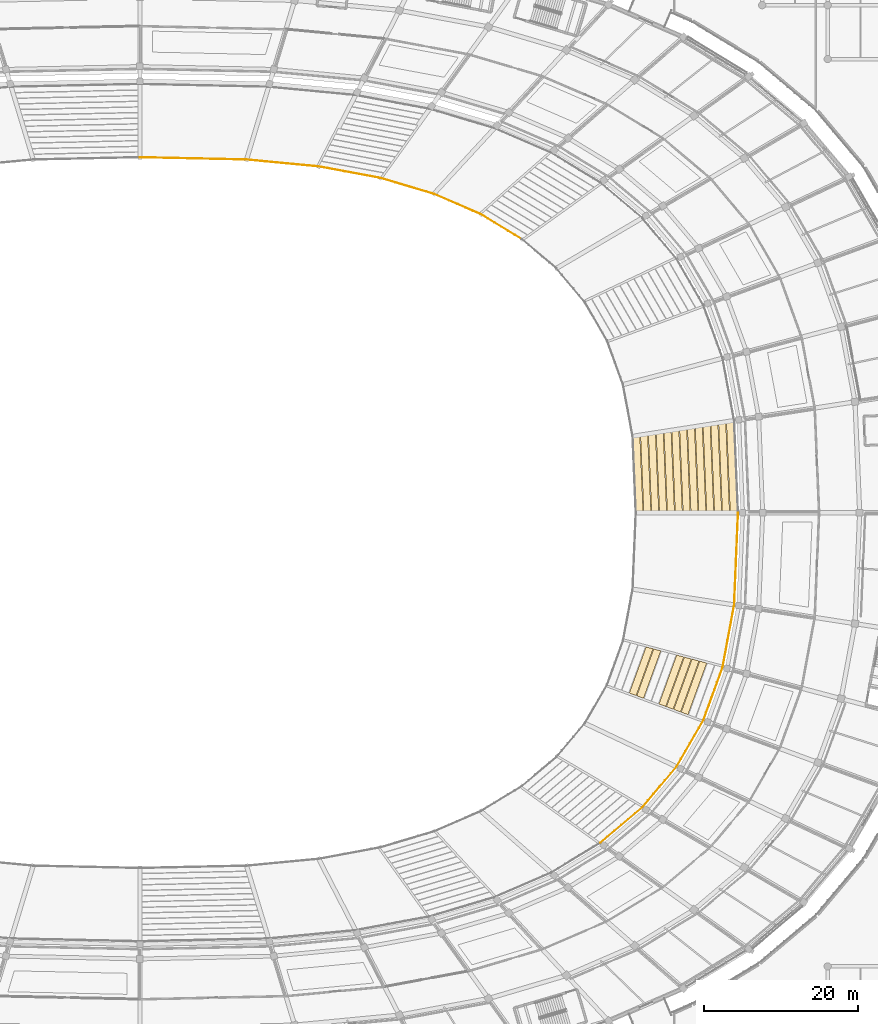
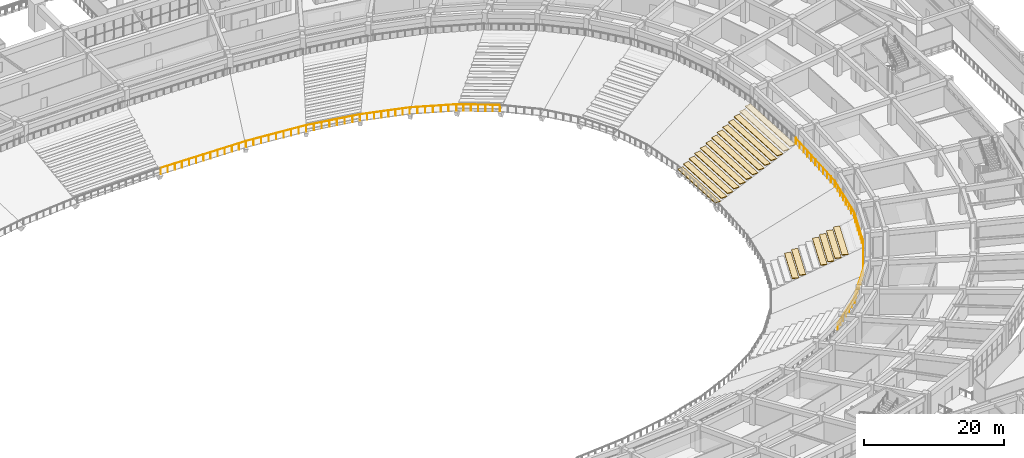
# One storey, part 137 of 152: 19 coverings, 2 railings.
"""IFC4 building model written with IfcOpenShell, lengths in metres."""

from ifc_helpers import new_model, si_unit, direction, frame, origin, origin_2d, place, context, subcontext, project, spatial, polyline, circle, outline, extrude, material, layer, layer_set, type_object, element, save


model = new_model("IFC4")

# Units and contexts
model_context = context("Model", 3, precision=1e-05, world=origin(), true_north=direction((0.0, 1.0)))
body_context = subcontext(model_context, "Body", "Model", "MODEL_VIEW")
ifc_project = project(units=[si_unit("LENGTHUNIT", "METRE"), si_unit("AREAUNIT", "SQUARE_METRE"), si_unit("VOLUMEUNIT", "CUBIC_METRE"), si_unit("PLANEANGLEUNIT", "RADIAN"), si_unit("MASSUNIT", "GRAM", prefix="KILO")], contexts=[model_context])

# Site, building, storey
site_placement = place(None, origin())
site = spatial("IfcSite", under=ifc_project, at=site_placement, CompositionType="ELEMENT")
building_placement = place(site_placement, origin())
building = spatial("IfcBuilding", under=site, at=building_placement, Name="Mphavela Belvedere Stadium", CompositionType="ELEMENT")
storey_placement = place(building_placement, frame((0.0, 0.0, 5.39990234375)))
storey = spatial("IfcBuildingStorey", under=building, at=storey_placement, Name="L01", CompositionType="ELEMENT", Elevation=5.39990234375)

# Coverings
ifc_material_1 = material(Name="Precast seating row terrazzo finish", Category="concrete")
ifc_layer = layer(ifc_material_1, 0.1201171875)
ifc_layer_set = layer_set([ifc_layer], Name="Precast seating row terrazzo finish")
covering_type = type_object("IfcCoveringType", Name="COV-SEAT-ROW-L", PredefinedType="FLOORING", material=ifc_layer_set)
covering_1_placement = place(storey_placement, frame((0.0, 0.0, -3.75830078125)))
element("IfcCovering", 1, at=covering_1_placement, inside=storey, type_object=covering_type, Name="Lower stand seating row bench B01-R01", PredefinedType="FLOORING", context=body_context, shape_type="SweptSolid", body=[
    extrude(outline(polyline([(179.5048828125, 87.0), (179.088134765625, 96.9404296875), (180.0224609375, 97.08544921875), (180.445556640625, 87.0), (179.5048828125, 87.0)])), origin(), (0.0, 0.0, 1.0), 0.119873046875),
])
covering_2_placement = place(storey_placement, frame((0.0, 0.0, -3.296875)))
element("IfcCovering", 2, at=covering_2_placement, inside=storey, type_object=covering_type, Name="Lower stand seating row bench B01-R02", PredefinedType="FLOORING", context=body_context, shape_type="SweptSolid", body=[
    extrude(outline(polyline([(180.527099609375, 87.0), (180.103759765625, 97.097900390625), (181.0380859375, 97.242919921875), (181.4677734375, 87.0), (180.527099609375, 87.0)])), origin(), (0.0, 0.0, 1.0), 0.1201171875),
])
covering_3_placement = place(storey_placement, frame((0.0, 0.0, -2.835205078125)))
element("IfcCovering", 3, at=covering_3_placement, inside=storey, type_object=covering_type, Name="Lower stand seating row bench B01-R03", PredefinedType="FLOORING", context=body_context, shape_type="SweptSolid", body=[
    extrude(outline(polyline([(181.549560546875, 87.0), (181.119384765625, 97.255615234375), (182.0537109375, 97.400390625), (182.489990234375, 87.0), (181.549560546875, 87.0)])), origin(), (0.0, 0.0, 1.0), 0.119873046875),
])
covering_4_placement = place(storey_placement, frame((0.0, 0.0, -2.373779296875)))
element("IfcCovering", 4, at=covering_4_placement, inside=storey, type_object=covering_type, Name="Lower stand seating row bench B01-R04", PredefinedType="FLOORING", context=body_context, shape_type="SweptSolid", body=[
    extrude(outline(polyline([(182.57177734375, 87.0), (182.135009765625, 97.4130859375), (183.0693359375, 97.55810546875), (183.51220703125, 87.0), (182.57177734375, 87.0)])), origin(), (0.0, 0.0, 1.0), 0.1201171875),
])
covering_5_placement = place(storey_placement, frame((0.0, 0.0, -1.912109375)))
element("IfcCovering", 5, at=covering_5_placement, inside=storey, type_object=covering_type, Name="Lower stand seating row bench B01-R05", PredefinedType="FLOORING", context=body_context, shape_type="SweptSolid", body=[
    extrude(outline(polyline([(183.593994140625, 87.0), (183.150634765625, 97.570556640625), (184.0849609375, 97.715576171875), (184.534423828125, 87.0), (183.593994140625, 87.0)])), origin(), (0.0, 0.0, 1.0), 0.119873046875),
])
covering_6_placement = place(storey_placement, frame((0.0, 0.0, -1.45068359375)))
element("IfcCovering", 6, at=covering_6_placement, inside=storey, type_object=covering_type, Name="Lower stand seating row bench B01-R06", PredefinedType="FLOORING", context=body_context, shape_type="SweptSolid", body=[
    extrude(outline(polyline([(184.6162109375, 87.0), (184.166259765625, 97.728271484375), (185.1005859375, 97.873046875), (185.556640625, 87.0), (184.6162109375, 87.0)])), origin(), (0.0, 0.0, 1.0), 0.119873046875),
])
covering_7_placement = place(storey_placement, frame((0.0, 0.0, -0.989013671875)))
element("IfcCovering", 7, at=covering_7_placement, inside=storey, type_object=covering_type, Name="Lower stand seating row bench B01-R07", PredefinedType="FLOORING", context=body_context, shape_type="SweptSolid", body=[
    extrude(outline(polyline([(185.638427734375, 87.0), (185.181884765625, 97.8857421875), (186.1162109375, 98.030517578125), (186.578857421875, 87.0), (185.638427734375, 87.0)])), origin(), (0.0, 0.0, 1.0), 0.119873046875),
])
covering_8_placement = place(storey_placement, frame((0.0, 0.0, -0.527587890625)))
element("IfcCovering", 8, at=covering_8_placement, inside=storey, type_object=covering_type, Name="Lower stand seating row bench B01-R08", PredefinedType="FLOORING", context=body_context, shape_type="SweptSolid", body=[
    extrude(outline(polyline([(186.66064453125, 87.0), (186.197509765625, 98.043212890625), (187.1318359375, 98.18798828125), (187.60107421875, 87.0), (186.66064453125, 87.0)])), origin(), (0.0, 0.0, 1.0), 0.119873046875),
])
covering_9_placement = place(storey_placement, frame((0.0, 0.0, -0.066162109375)))
element("IfcCovering", 9, at=covering_9_placement, inside=storey, type_object=covering_type, Name="Lower stand seating row bench B01-R09", PredefinedType="FLOORING", context=body_context, shape_type="SweptSolid", body=[
    extrude(outline(polyline([(187.682861328125, 87.0), (187.213134765625, 98.20068359375), (188.1474609375, 98.345703125), (188.623291015625, 87.0), (187.682861328125, 87.0)])), origin(), (0.0, 0.0, 1.0), 0.1201171875),
])
covering_10_placement = place(storey_placement, frame((0.0, 0.0, 0.3955078125)))
element("IfcCovering", 10, at=covering_10_placement, inside=storey, type_object=covering_type, Name="Lower stand seating row bench B01-R10", PredefinedType="FLOORING", context=body_context, shape_type="SweptSolid", body=[
    extrude(outline(polyline([(188.705078125, 87.0), (188.228759765625, 98.3583984375), (189.1630859375, 98.503173828125), (189.6455078125, 87.0), (188.705078125, 87.0)])), origin(), (0.0, 0.0, 1.0), 0.119873046875),
])
covering_11_placement = place(storey_placement, frame((0.0, 0.0, 0.85693359375)))
element("IfcCovering", 11, at=covering_11_placement, inside=storey, type_object=covering_type, Name="Lower stand seating row bench B01-R11", PredefinedType="FLOORING", context=body_context, shape_type="SweptSolid", body=[
    extrude(outline(polyline([(189.727294921875, 87.0), (189.244384765625, 98.515869140625), (190.1787109375, 98.66064453125), (190.667724609375, 87.0), (189.727294921875, 87.0)])), origin(), (0.0, 0.0, 1.0), 0.1201171875),
])
covering_12_placement = place(storey_placement, frame((0.0, 0.0, 1.318603515625)))
element("IfcCovering", 12, at=covering_12_placement, inside=storey, type_object=covering_type, Name="Lower stand seating row bench B01-R12", PredefinedType="FLOORING", context=body_context, shape_type="SweptSolid", body=[
    extrude(outline(polyline([(190.74951171875, 87.0), (190.260009765625, 98.67333984375), (191.1943359375, 98.818359375), (191.68994140625, 87.0), (190.74951171875, 87.0)])), origin(), (0.0, 0.0, 1.0), 0.119873046875),
])
covering_13_placement = place(storey_placement, frame((0.0, 0.0, 1.780029296875)))
element("IfcCovering", 13, at=covering_13_placement, inside=storey, type_object=covering_type, Name="Lower stand seating row bench B01-R13", PredefinedType="FLOORING", context=body_context, shape_type="SweptSolid", body=[
    extrude(outline(polyline([(191.771728515625, 87.0), (191.275634765625, 98.830810546875), (192.2099609375, 98.975830078125), (192.712158203125, 87.0), (191.771728515625, 87.0)])), origin(), (0.0, 0.0, 1.0), 0.1201171875),
])
covering_14_placement = place(storey_placement, frame((0.0, 0.0, -2.373779296875)))
element("IfcCovering", 14, at=covering_14_placement, inside=storey, type_object=covering_type, Name="Lower stand seating row bench B46-R04", PredefinedType="FLOORING", context=body_context, shape_type="SweptSolid", body=[
    extrude(outline(polyline([(178.65234375, 63.55029296875), (180.82666015625, 69.54345703125), (181.742919921875, 69.300537109375), (179.5380859375, 63.223876953125), (178.65234375, 63.55029296875)])), origin(), (0.0, 0.0, 1.0), 0.1201171875),
])
covering_15_placement = place(storey_placement, frame((0.0, 0.0, -1.912109375)))
element("IfcCovering", 15, at=covering_15_placement, inside=storey, type_object=covering_type, Name="Lower stand seating row bench B46-R05", PredefinedType="FLOORING", context=body_context, shape_type="SweptSolid", body=[
    extrude(outline(polyline([(179.615234375, 63.1953125), (181.822509765625, 69.279541015625), (182.738525390625, 69.03662109375), (180.501220703125, 62.868896484375), (179.615234375, 63.1953125)])), origin(), (0.0, 0.0, 1.0), 0.119873046875),
])
covering_16_placement = place(storey_placement, frame((0.0, 0.0, -0.527587890625)))
element("IfcCovering", 16, at=covering_16_placement, inside=storey, type_object=covering_type, Name="Lower stand seating row bench B46-R08", PredefinedType="FLOORING", context=body_context, shape_type="SweptSolid", body=[
    extrude(outline(polyline([(182.504150390625, 62.131103515625), (184.81005859375, 68.4873046875), (185.72607421875, 68.244384765625), (183.389892578125, 61.8046875), (182.504150390625, 62.131103515625)])), origin(), (0.0, 0.0, 1.0), 0.119873046875),
])
covering_17_placement = place(storey_placement, frame((0.0, 0.0, -0.066162109375)))
element("IfcCovering", 17, at=covering_17_placement, inside=storey, type_object=covering_type, Name="Lower stand seating row bench B46-R09", PredefinedType="FLOORING", context=body_context, shape_type="SweptSolid", body=[
    extrude(outline(polyline([(183.467041015625, 61.7763671875), (185.805908203125, 68.22314453125), (186.721923828125, 67.980224609375), (184.352783203125, 61.449951171875), (183.467041015625, 61.7763671875)])), origin(), (0.0, 0.0, 1.0), 0.1201171875),
])
covering_18_placement = place(storey_placement, frame((0.0, 0.0, 0.3955078125)))
element("IfcCovering", 18, at=covering_18_placement, inside=storey, type_object=covering_type, Name="Lower stand seating row bench B46-R10", PredefinedType="FLOORING", context=body_context, shape_type="SweptSolid", body=[
    extrude(outline(polyline([(184.429931640625, 61.421630859375), (186.801513671875, 67.958984375), (187.7177734375, 67.716064453125), (185.31591796875, 61.09521484375), (184.429931640625, 61.421630859375)])), origin(), (0.0, 0.0, 1.0), 0.119873046875),
])
covering_19_placement = place(storey_placement, frame((0.0, 0.0, 0.85693359375)))
element("IfcCovering", 19, at=covering_19_placement, inside=storey, type_object=covering_type, Name="Lower stand seating row bench B46-R11", PredefinedType="FLOORING", context=body_context, shape_type="SweptSolid", body=[
    extrude(outline(polyline([(185.392822265625, 61.06689453125), (187.79736328125, 67.695068359375), (188.713623046875, 67.451904296875), (186.27880859375, 60.740478515625), (185.392822265625, 61.06689453125)])), origin(), (0.0, 0.0, 1.0), 0.1201171875),
])

# Railings
ifc_material_2 = material(Name="Bronze and laminated glass stadium balustrade", Category="glass")
railing_type = type_object("IfcRailingType", Name="RAL-BALUSTRADE-1120", PredefinedType="BALUSTRADE", material=ifc_material_2)
railing_1_placement = place(storey_placement, frame((164.658935546875, 122.580322265625, -4.099853515625)))
element("IfcRailing", 20, at=railing_1_placement, inside=storey, type_object=railing_type, Name="Bowl safety balustrade t1_front S2", PredefinedType="BALUSTRADE", context=body_context, shape_type="SweptSolid", body=[
    extrude(circle(Radius=0.02392578125, at=origin_2d()), frame((0.0, 0.0, 1.09619140625), z_axis=(-0.854317681937, 0.519751188868, 0.0), x_axis=(-0.519751188868, -0.854317681937, 0.0)), (0.0, 0.0, 1.0), 6.212158203125),
    extrude(circle(Radius=0.02392578125, at=origin_2d()), frame((-5.30712890625, 3.228759765625, 1.09619140625), z_axis=(-0.917505783131, 0.397722438293, 0.0), x_axis=(-0.397722438293, -0.917505783131, 0.0)), (0.0, 0.0, 1.0), 6.672607421875),
    extrude(circle(Radius=0.02392578125, at=origin_2d()), frame((-11.42919921875, 5.882568359375, 1.09619140625), z_axis=(-0.958662145349, 0.284546817018, 0.0), x_axis=(-0.284546817018, -0.958662145349, 0.0)), (0.0, 0.0, 1.0), 7.287841796875),
    extrude(circle(Radius=0.02392578125, at=origin_2d()), frame((-18.415771484375, 7.956298828125, 1.09619140625), z_axis=(-0.983092319169, 0.183110600433, 0.0), x_axis=(-0.183110600433, -0.983092319169, 0.0)), (0.0, 0.0, 1.0), 8.12255859375),
    extrude(circle(Radius=0.02392578125, at=origin_2d()), frame((-26.40087890625, 9.443603515625, 1.09619140625), z_axis=(-0.995485107266, 0.094917865605, 0.0), x_axis=(-0.094917865605, -0.995485107266, 0.0)), (0.0, 0.0, 1.0), 9.4267578125),
    extrude(circle(Radius=0.02392578125, at=origin_2d()), frame((-35.78515625, 10.33837890625, 1.09619140625), z_axis=(-0.99976811519, 0.021534062558, 0.0), x_axis=(-0.021534062558, -0.99976811519, 0.0)), (0.0, 0.0, 1.0), 13.876953125),
    extrude(circle(Radius=0.02099609375, at=origin_2d()), origin(), (0.0, 0.0, 1.0), 1.072021484375),
    extrude(circle(Radius=0.02099609375, at=origin_2d()), frame((-0.884521484375, 0.5380859375, 0.0)), (0.0, 0.0, 1.0), 1.072021484375),
    extrude(circle(Radius=0.02099609375, at=origin_2d()), frame((-1.76904296875, 1.076171875, 0.0)), (0.0, 0.0, 1.0), 1.072021484375),
    extrude(circle(Radius=0.02099609375, at=origin_2d()), frame((-2.653564453125, 1.6142578125, 0.0)), (0.0, 0.0, 1.0), 1.072021484375),
    extrude(circle(Radius=0.02099609375, at=origin_2d()), frame((-3.5380859375, 2.152587890625, 0.0)), (0.0, 0.0, 1.0), 1.072021484375),
    extrude(circle(Radius=0.02099609375, at=origin_2d()), frame((-4.422607421875, 2.690673828125, 0.0)), (0.0, 0.0, 1.0), 1.072021484375),
    extrude(circle(Radius=0.02099609375, at=origin_2d()), frame((-5.30712890625, 3.228759765625, 0.0)), (0.0, 0.0, 1.0), 1.072021484375),
    extrude(circle(Radius=0.02099609375, at=origin_2d()), frame((-6.327392578125, 3.671142578125, 0.0)), (0.0, 0.0, 1.0), 1.072021484375),
    extrude(circle(Radius=0.02099609375, at=origin_2d()), frame((-7.347900390625, 4.11328125, 0.0)), (0.0, 0.0, 1.0), 1.072021484375),
    extrude(circle(Radius=0.02099609375, at=origin_2d()), frame((-8.3681640625, 4.5556640625, 0.0)), (0.0, 0.0, 1.0), 1.072021484375),
    extrude(circle(Radius=0.02099609375, at=origin_2d()), frame((-9.388427734375, 4.998046875, 0.0)), (0.0, 0.0, 1.0), 1.072021484375),
    extrude(circle(Radius=0.02099609375, at=origin_2d()), frame((-10.408935546875, 5.440185546875, 0.0)), (0.0, 0.0, 1.0), 1.072021484375),
    extrude(circle(Radius=0.02099609375, at=origin_2d()), frame((-11.42919921875, 5.882568359375, 0.0)), (0.0, 0.0, 1.0), 1.072021484375),
    extrude(circle(Radius=0.02099609375, at=origin_2d()), frame((-12.42724609375, 6.1787109375, 0.0)), (0.0, 0.0, 1.0), 1.072021484375),
    extrude(circle(Radius=0.02099609375, at=origin_2d()), frame((-13.42529296875, 6.47509765625, 0.0)), (0.0, 0.0, 1.0), 1.072021484375),
    extrude(circle(Radius=0.02099609375, at=origin_2d()), frame((-14.42333984375, 6.771240234375, 0.0)), (0.0, 0.0, 1.0), 1.072021484375),
    extrude(circle(Radius=0.02099609375, at=origin_2d()), frame((-15.421630859375, 7.067626953125, 0.0)), (0.0, 0.0, 1.0), 1.072021484375),
    extrude(circle(Radius=0.02099609375, at=origin_2d()), frame((-16.419677734375, 7.36376953125, 0.0)), (0.0, 0.0, 1.0), 1.072021484375),
    extrude(circle(Radius=0.02099609375, at=origin_2d()), frame((-17.417724609375, 7.66015625, 0.0)), (0.0, 0.0, 1.0), 1.072021484375),
    extrude(circle(Radius=0.02099609375, at=origin_2d()), frame((-18.415771484375, 7.956298828125, 0.0)), (0.0, 0.0, 1.0), 1.072021484375),
    extrude(circle(Radius=0.02099609375, at=origin_2d()), frame((-19.556396484375, 8.168701171875, 0.0)), (0.0, 0.0, 1.0), 1.072021484375),
    extrude(circle(Radius=0.02099609375, at=origin_2d()), frame((-20.697265625, 8.38134765625, 0.0)), (0.0, 0.0, 1.0), 1.072021484375),
    extrude(circle(Radius=0.02099609375, at=origin_2d()), frame((-21.837890625, 8.59375, 0.0)), (0.0, 0.0, 1.0), 1.072021484375),
    extrude(circle(Radius=0.02099609375, at=origin_2d()), frame((-22.978759765625, 8.80615234375, 0.0)), (0.0, 0.0, 1.0), 1.072021484375),
    extrude(circle(Radius=0.02099609375, at=origin_2d()), frame((-24.119384765625, 9.0185546875, 0.0)), (0.0, 0.0, 1.0), 1.072021484375),
    extrude(circle(Radius=0.02099609375, at=origin_2d()), frame((-25.26025390625, 9.231201171875, 0.0)), (0.0, 0.0, 1.0), 1.072021484375),
    extrude(circle(Radius=0.02099609375, at=origin_2d()), frame((-26.40087890625, 9.443603515625, 0.0)), (0.0, 0.0, 1.0), 1.072021484375),
    extrude(circle(Radius=0.02099609375, at=origin_2d()), frame((-27.573974609375, 9.555419921875, 0.0)), (0.0, 0.0, 1.0), 1.072021484375),
    extrude(circle(Radius=0.02099609375, at=origin_2d()), frame((-28.7470703125, 9.667236328125, 0.0)), (0.0, 0.0, 1.0), 1.072021484375),
    extrude(circle(Radius=0.02099609375, at=origin_2d()), frame((-29.919921875, 9.779052734375, 0.0)), (0.0, 0.0, 1.0), 1.072021484375),
    extrude(circle(Radius=0.02099609375, at=origin_2d()), frame((-31.093017578125, 9.89111328125, 0.0)), (0.0, 0.0, 1.0), 1.072021484375),
    extrude(circle(Radius=0.02099609375, at=origin_2d()), frame((-32.26611328125, 10.0029296875, 0.0)), (0.0, 0.0, 1.0), 1.072021484375),
    extrude(circle(Radius=0.02099609375, at=origin_2d()), frame((-33.43896484375, 10.11474609375, 0.0)), (0.0, 0.0, 1.0), 1.072021484375),
    extrude(circle(Radius=0.02099609375, at=origin_2d()), frame((-34.612060546875, 10.2265625, 0.0)), (0.0, 0.0, 1.0), 1.072021484375),
    extrude(circle(Radius=0.02099609375, at=origin_2d()), frame((-35.78515625, 10.33837890625, 0.0)), (0.0, 0.0, 1.0), 1.072021484375),
    extrude(circle(Radius=0.02099609375, at=origin_2d()), frame((-36.94140625, 10.36328125, 0.0)), (0.0, 0.0, 1.0), 1.072021484375),
    extrude(circle(Radius=0.02099609375, at=origin_2d()), frame((-38.097412109375, 10.38818359375, 0.0)), (0.0, 0.0, 1.0), 1.072021484375),
    extrude(circle(Radius=0.02099609375, at=origin_2d()), frame((-39.253662109375, 10.4130859375, 0.0)), (0.0, 0.0, 1.0), 1.072021484375),
    extrude(circle(Radius=0.02099609375, at=origin_2d()), frame((-40.40966796875, 10.43798828125, 0.0)), (0.0, 0.0, 1.0), 1.072021484375),
    extrude(circle(Radius=0.02099609375, at=origin_2d()), frame((-41.56591796875, 10.462890625, 0.0)), (0.0, 0.0, 1.0), 1.072021484375),
    extrude(circle(Radius=0.02099609375, at=origin_2d()), frame((-42.72216796875, 10.48779296875, 0.0)), (0.0, 0.0, 1.0), 1.072021484375),
    extrude(circle(Radius=0.02099609375, at=origin_2d()), frame((-43.878173828125, 10.5126953125, 0.0)), (0.0, 0.0, 1.0), 1.072021484375),
    extrude(circle(Radius=0.02099609375, at=origin_2d()), frame((-45.034423828125, 10.53759765625, 0.0)), (0.0, 0.0, 1.0), 1.072021484375),
    extrude(circle(Radius=0.02099609375, at=origin_2d()), frame((-46.1904296875, 10.5625, 0.0)), (0.0, 0.0, 1.0), 1.072021484375),
    extrude(circle(Radius=0.02099609375, at=origin_2d()), frame((-47.3466796875, 10.58740234375, 0.0)), (0.0, 0.0, 1.0), 1.072021484375),
    extrude(circle(Radius=0.02099609375, at=origin_2d()), frame((-48.502685546875, 10.6123046875, 0.0)), (0.0, 0.0, 1.0), 1.072021484375),
    extrude(circle(Radius=0.02099609375, at=origin_2d()), frame((-49.658935546875, 10.63720703125, 0.0)), (0.0, 0.0, 1.0), 1.072021484375),
])
railing_2_placement = place(storey_placement, frame((174.889404296875, 44.089599609375, 1.900146484375)))
element("IfcRailing", 21, at=railing_2_placement, inside=storey, type_object=railing_type, Name="Bowl safety balustrade t1_rear S8", PredefinedType="BALUSTRADE", context=body_context, shape_type="SweptSolid", body=[
    extrude(circle(Radius=0.02392578125, at=origin_2d()), frame((0.0, 0.0, 1.09619140625), z_axis=(0.764272445786, 0.644893501761, 0.0), x_axis=(-0.644893501761, 0.764272445786, 0.0)), (0.0, 0.0, 1.0), 7.11083984375),
    extrude(circle(Radius=0.02392578125, at=origin_2d()), frame((5.4345703125, 4.585693359375, 1.09619140625), z_axis=(0.645154745887, 0.764051931389, 0.0), x_axis=(-0.764051931389, 0.645154745887, 0.0)), (0.0, 0.0, 1.0), 6.924072265625),
    extrude(circle(Radius=0.02392578125, at=origin_2d()), frame((9.901611328125, 9.8759765625, 1.09619140625), z_axis=(0.500558706361, 0.865702594132, 0.0), x_axis=(-0.865702594132, 0.500558706361, 0.0)), (0.0, 0.0, 1.0), 6.9736328125),
    extrude(circle(Radius=0.02392578125, at=origin_2d()), frame((13.392333984375, 15.9130859375, 1.09619140625), z_axis=(0.341035238326, 0.940050512589, 0.0), x_axis=(-0.940050512589, 0.341035238326, 0.0)), (0.0, 0.0, 1.0), 7.33984375),
    extrude(circle(Radius=0.02392578125, at=origin_2d()), frame((15.8955078125, 22.81298828125, 1.09619140625), z_axis=(0.182635114109, 0.983180764201, 0.0), x_axis=(-0.983180764201, 0.182635114109, 0.0)), (0.0, 0.0, 1.0), 8.247802734375),
    extrude(circle(Radius=0.02392578125, at=origin_2d()), frame((17.40185546875, 30.922119140625, 1.09619140625), z_axis=(0.041894596613, 0.999122035977, 0.0), x_axis=(-0.999122035977, 0.041894596613, 0.0)), (0.0, 0.0, 1.0), 11.998779296875),
    extrude(circle(Radius=0.02099609375, at=origin_2d()), origin(), (0.0, 0.0, 1.0), 1.072021484375),
    extrude(circle(Radius=0.02099609375, at=origin_2d()), frame((0.90576171875, 0.76416015625, 0.0)), (0.0, 0.0, 1.0), 1.072021484375),
    extrude(circle(Radius=0.02099609375, at=origin_2d()), frame((1.8115234375, 1.528564453125, 0.0)), (0.0, 0.0, 1.0), 1.072021484375),
    extrude(circle(Radius=0.02099609375, at=origin_2d()), frame((2.71728515625, 2.29296875, 0.0)), (0.0, 0.0, 1.0), 1.072021484375),
    extrude(circle(Radius=0.02099609375, at=origin_2d()), frame((3.623046875, 3.05712890625, 0.0)), (0.0, 0.0, 1.0), 1.072021484375),
    extrude(circle(Radius=0.02099609375, at=origin_2d()), frame((4.52880859375, 3.8212890625, 0.0)), (0.0, 0.0, 1.0), 1.072021484375),
    extrude(circle(Radius=0.02099609375, at=origin_2d()), frame((5.4345703125, 4.585693359375, 0.0)), (0.0, 0.0, 1.0), 1.072021484375),
    extrude(circle(Radius=0.02099609375, at=origin_2d()), frame((6.17919921875, 5.46728515625, 0.0)), (0.0, 0.0, 1.0), 1.072021484375),
    extrude(circle(Radius=0.02099609375, at=origin_2d()), frame((6.923583984375, 6.34912109375, 0.0)), (0.0, 0.0, 1.0), 1.072021484375),
    extrude(circle(Radius=0.02099609375, at=origin_2d()), frame((7.66796875, 7.23095703125, 0.0)), (0.0, 0.0, 1.0), 1.072021484375),
    extrude(circle(Radius=0.02099609375, at=origin_2d()), frame((8.41259765625, 8.112548828125, 0.0)), (0.0, 0.0, 1.0), 1.072021484375),
    extrude(circle(Radius=0.02099609375, at=origin_2d()), frame((9.1572265625, 8.994140625, 0.0)), (0.0, 0.0, 1.0), 1.072021484375),
    extrude(circle(Radius=0.02099609375, at=origin_2d()), frame((9.901611328125, 9.8759765625, 0.0)), (0.0, 0.0, 1.0), 1.072021484375),
    extrude(circle(Radius=0.02099609375, at=origin_2d()), frame((10.4833984375, 10.882080078125, 0.0)), (0.0, 0.0, 1.0), 1.072021484375),
    extrude(circle(Radius=0.02099609375, at=origin_2d()), frame((11.065185546875, 11.888427734375, 0.0)), (0.0, 0.0, 1.0), 1.072021484375),
    extrude(circle(Radius=0.02099609375, at=origin_2d()), frame((11.64697265625, 12.89453125, 0.0)), (0.0, 0.0, 1.0), 1.072021484375),
    extrude(circle(Radius=0.02099609375, at=origin_2d()), frame((12.228759765625, 13.900634765625, 0.0)), (0.0, 0.0, 1.0), 1.072021484375),
    extrude(circle(Radius=0.02099609375, at=origin_2d()), frame((12.810546875, 14.906982421875, 0.0)), (0.0, 0.0, 1.0), 1.072021484375),
    extrude(circle(Radius=0.02099609375, at=origin_2d()), frame((13.392333984375, 15.9130859375, 0.0)), (0.0, 0.0, 1.0), 1.072021484375),
    extrude(circle(Radius=0.02099609375, at=origin_2d()), frame((13.75, 16.898681640625, 0.0)), (0.0, 0.0, 1.0), 1.072021484375),
    extrude(circle(Radius=0.02099609375, at=origin_2d()), frame((14.107421875, 17.884521484375, 0.0)), (0.0, 0.0, 1.0), 1.072021484375),
    extrude(circle(Radius=0.02099609375, at=origin_2d()), frame((14.465087890625, 18.8701171875, 0.0)), (0.0, 0.0, 1.0), 1.072021484375),
    extrude(circle(Radius=0.02099609375, at=origin_2d()), frame((14.82275390625, 19.85595703125, 0.0)), (0.0, 0.0, 1.0), 1.072021484375),
    extrude(circle(Radius=0.02099609375, at=origin_2d()), frame((15.180419921875, 20.841552734375, 0.0)), (0.0, 0.0, 1.0), 1.072021484375),
    extrude(circle(Radius=0.02099609375, at=origin_2d()), frame((15.537841796875, 21.827392578125, 0.0)), (0.0, 0.0, 1.0), 1.072021484375),
    extrude(circle(Radius=0.02099609375, at=origin_2d()), frame((15.8955078125, 22.81298828125, 0.0)), (0.0, 0.0, 1.0), 1.072021484375),
    extrude(circle(Radius=0.02099609375, at=origin_2d()), frame((16.110595703125, 23.971435546875, 0.0)), (0.0, 0.0, 1.0), 1.072021484375),
    extrude(circle(Radius=0.02099609375, at=origin_2d()), frame((16.325927734375, 25.1298828125, 0.0)), (0.0, 0.0, 1.0), 1.072021484375),
    extrude(circle(Radius=0.02099609375, at=origin_2d()), frame((16.541015625, 26.288330078125, 0.0)), (0.0, 0.0, 1.0), 1.072021484375),
    extrude(circle(Radius=0.02099609375, at=origin_2d()), frame((16.75634765625, 27.44677734375, 0.0)), (0.0, 0.0, 1.0), 1.072021484375),
    extrude(circle(Radius=0.02099609375, at=origin_2d()), frame((16.971435546875, 28.605224609375, 0.0)), (0.0, 0.0, 1.0), 1.072021484375),
    extrude(circle(Radius=0.02099609375, at=origin_2d()), frame((17.186767578125, 29.763671875, 0.0)), (0.0, 0.0, 1.0), 1.072021484375),
    extrude(circle(Radius=0.02099609375, at=origin_2d()), frame((17.40185546875, 30.922119140625, 0.0)), (0.0, 0.0, 1.0), 1.072021484375),
    extrude(circle(Radius=0.02099609375, at=origin_2d()), frame((17.4521484375, 32.120849609375, 0.0)), (0.0, 0.0, 1.0), 1.072021484375),
    extrude(circle(Radius=0.02099609375, at=origin_2d()), frame((17.50244140625, 33.31982421875, 0.0)), (0.0, 0.0, 1.0), 1.072021484375),
    extrude(circle(Radius=0.02099609375, at=origin_2d()), frame((17.552734375, 34.5185546875, 0.0)), (0.0, 0.0, 1.0), 1.072021484375),
    extrude(circle(Radius=0.02099609375, at=origin_2d()), frame((17.60302734375, 35.717529296875, 0.0)), (0.0, 0.0, 1.0), 1.072021484375),
    extrude(circle(Radius=0.02099609375, at=origin_2d()), frame((17.6533203125, 36.916259765625, 0.0)), (0.0, 0.0, 1.0), 1.072021484375),
    extrude(circle(Radius=0.02099609375, at=origin_2d()), frame((17.703369140625, 38.114990234375, 0.0)), (0.0, 0.0, 1.0), 1.072021484375),
    extrude(circle(Radius=0.02099609375, at=origin_2d()), frame((17.753662109375, 39.31396484375, 0.0)), (0.0, 0.0, 1.0), 1.072021484375),
    extrude(circle(Radius=0.02099609375, at=origin_2d()), frame((17.803955078125, 40.5126953125, 0.0)), (0.0, 0.0, 1.0), 1.072021484375),
    extrude(circle(Radius=0.02099609375, at=origin_2d()), frame((17.854248046875, 41.711669921875, 0.0)), (0.0, 0.0, 1.0), 1.072021484375),
    extrude(circle(Radius=0.02099609375, at=origin_2d()), frame((17.904541015625, 42.910400390625, 0.0)), (0.0, 0.0, 1.0), 1.072021484375),
])

save(model, "model.ifc")
